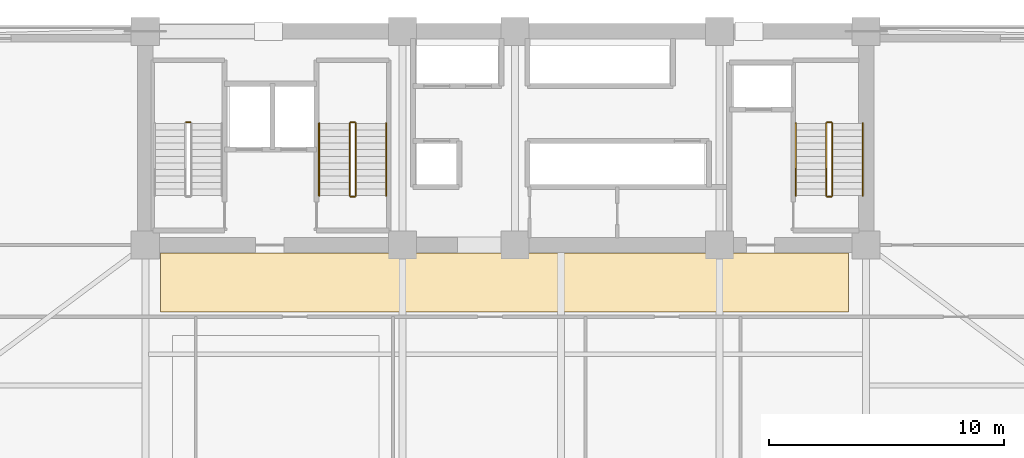
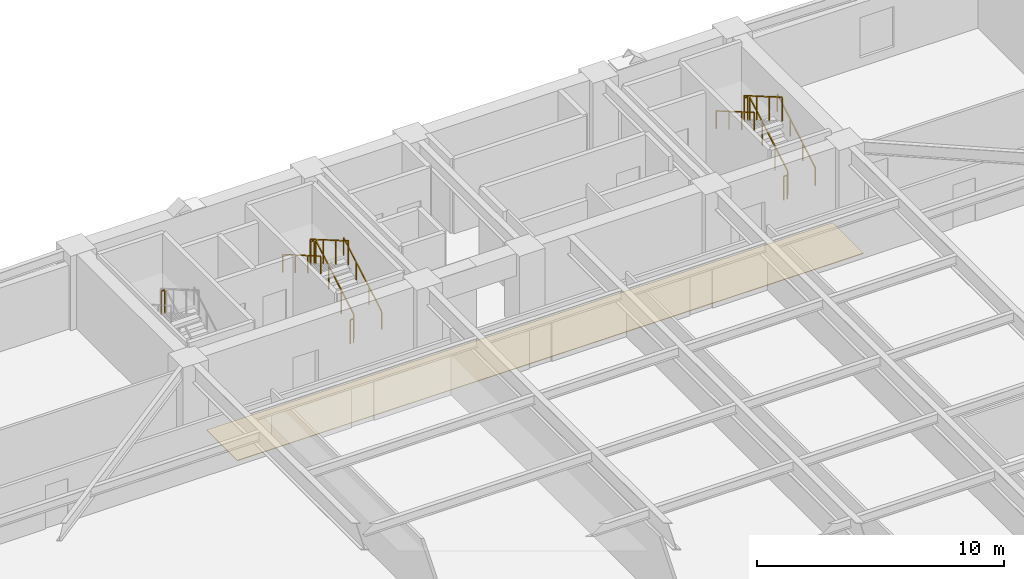
# One storey, part 17 of 18: 13 railings, 1 covering.
"""IFC4 building model written with IfcOpenShell, lengths in metres."""

from ifc_helpers import new_model, si_unit, direction, frame, origin, origin_2d, place, context, subcontext, project, spatial, polyline, rectangle, outline, extrude, material, layer, layer_set, type_object, element, save


model = new_model("IFC4")

# Units and contexts
model_context = context("Model", 3, precision=1e-05, world=origin(), true_north=direction((0.0, 1.0)))
body_context = subcontext(model_context, "Body", "Model", "MODEL_VIEW")
ifc_project = project(units=[si_unit("LENGTHUNIT", "METRE"), si_unit("AREAUNIT", "SQUARE_METRE"), si_unit("VOLUMEUNIT", "CUBIC_METRE"), si_unit("PLANEANGLEUNIT", "RADIAN"), si_unit("MASSUNIT", "GRAM", prefix="KILO")], contexts=[model_context])

# Site, building, storey
site_placement = place(None, origin())
site = spatial("IfcSite", under=ifc_project, at=site_placement, CompositionType="ELEMENT")
building_placement = place(site_placement, origin())
building = spatial("IfcBuilding", under=site, at=building_placement, Name="Giltprow Tower", CompositionType="ELEMENT")
storey_placement = place(building_placement, frame((0.0, 0.0, 61.10009765625)))
storey = spatial("IfcBuildingStorey", under=building, at=storey_placement, Name="L15", CompositionType="ELEMENT", Elevation=61.10009765625)

# Covering
ifc_material_1 = material(Name="Honed granite", Category="masonry")
ifc_layer = layer(ifc_material_1, 0.030029296875, Name="Honed granite")
ifc_layer_set = layer_set([ifc_layer], Name="Honed granite")
covering_type = type_object("IfcCoveringType", Name="COV-FLR-STONE", PredefinedType="FLOORING", material=ifc_layer_set)
covering_placement = place(storey_placement, origin())
element("IfcCovering", 1, at=covering_placement, inside=storey, type_object=covering_type, Name="L15 Office Corridor Stone Flooring", PredefinedType="FLOORING", context=body_context, shape_type="SweptSolid", body=[
    extrude(outline(polyline([(20.5, 34.60009765625), (49.800048828125, 34.60009765625), (49.800048828125, 37.10009765625), (20.5, 37.10009765625), (20.5, 34.60009765625)])), origin(), (0.0, 0.0, 1.0), 0.02978515625),
])

# Railings
ifc_material_2 = material(Name="Anodized bronze", Category="metal")
railing_type_1 = type_object("IfcRailingType", Name="RAIL-STAIR-GUARD-1200", PredefinedType="GUARDRAIL", material=ifc_material_2)
railing_1_placement = place(storey_placement, frame((21.760009765625, 42.679931640625, 1.949951171875)))
element("IfcRailing", 2, at=railing_1_placement, inside=storey, type_object=railing_type_1, Name="L15 ST-1 stair guard 2", PredefinedType="GUARDRAIL", context=body_context, shape_type="SweptSolid", body=[
    extrude(rectangle(XDim=0.048095703125, YDim=0.048095703125, at=origin_2d()), frame((0.0, 0.0, 1.17578125), z_axis=(-1.0, 0.0, 0.0), x_axis=(0.0, -1.0, 0.0)), (0.0, 0.0, 1.0), 0.159912109375),
    extrude(rectangle(XDim=0.0419921875, YDim=0.0419921875, at=origin_2d()), origin(), (0.0, 0.0, 1.0), 1.15185546875),
    extrude(rectangle(XDim=0.0419921875, YDim=0.0419921875, at=origin_2d()), frame((-0.159912109375, 0.0, 0.0)), (0.0, 0.0, 1.0), 1.15185546875),
])
railing_2_placement = place(storey_placement, frame((28.81005859375, 39.550048828125, 0.162353515625)))
element("IfcRailing", 3, at=railing_2_placement, inside=storey, type_object=railing_type_1, Name="L15 ST-2 stair guard 1", PredefinedType="GUARDRAIL", context=body_context, shape_type="SweptSolid", body=[
    extrude(rectangle(XDim=0.048095703125, YDim=0.048095703125, at=origin_2d()), frame((0.0, 0.0, 1.17578125), z_axis=(0.0, 0.864873446163, 0.501989962173), x_axis=(-1.0, 0.0, 0.0)), (0.0, 0.0, 1.0), 3.56103515625),
    extrude(rectangle(XDim=0.0419921875, YDim=0.0419921875, at=origin_2d()), origin(), (0.0, 0.0, 1.0), 1.15185546875),
    extrude(rectangle(XDim=0.0419921875, YDim=0.0419921875, at=origin_2d()), frame((0.0, 1.026611328125, 0.595947265625)), (0.0, 0.0, 1.0), 1.15185546875),
    extrude(rectangle(XDim=0.0419921875, YDim=0.0419921875, at=origin_2d()), frame((0.0, 2.05322265625, 1.191650390625)), (0.0, 0.0, 1.0), 1.15185546875),
    extrude(rectangle(XDim=0.0419921875, YDim=0.0419921875, at=origin_2d()), frame((0.0, 3.079833984375, 1.78759765625)), (0.0, 0.0, 1.0), 1.15185546875),
])
railing_3_placement = place(storey_placement, frame((28.760009765625, 42.679931640625, 1.949951171875)))
element("IfcRailing", 4, at=railing_3_placement, inside=storey, type_object=railing_type_1, Name="L15 ST-2 stair guard 2", PredefinedType="GUARDRAIL", context=body_context, shape_type="SweptSolid", body=[
    extrude(rectangle(XDim=0.048095703125, YDim=0.048095703125, at=origin_2d()), frame((0.0, 0.0, 1.17578125), z_axis=(-1.0, 0.0, 0.0), x_axis=(0.0, -1.0, 0.0)), (0.0, 0.0, 1.0), 0.159912109375),
    extrude(rectangle(XDim=0.0419921875, YDim=0.0419921875, at=origin_2d()), origin(), (0.0, 0.0, 1.0), 1.15185546875),
    extrude(rectangle(XDim=0.0419921875, YDim=0.0419921875, at=origin_2d()), frame((-0.159912109375, 0.0, 0.0)), (0.0, 0.0, 1.0), 1.15185546875),
])
railing_4_placement = place(storey_placement, frame((28.550048828125, 42.6298828125, 2.1123046875)))
element("IfcRailing", 5, at=railing_4_placement, inside=storey, type_object=railing_type_1, Name="L15 ST-2 stair guard 3", PredefinedType="GUARDRAIL", context=body_context, shape_type="SweptSolid", body=[
    extrude(rectangle(XDim=0.048095703125, YDim=0.048095703125, at=origin_2d()), frame((0.0, 0.0, 1.17578125), z_axis=(0.0, -0.864873446163, 0.501989962173), x_axis=(1.0, 0.0, 0.0)), (0.0, 0.0, 1.0), 3.56103515625),
    extrude(rectangle(XDim=0.0419921875, YDim=0.0419921875, at=origin_2d()), origin(), (0.0, 0.0, 1.0), 1.15185546875),
    extrude(rectangle(XDim=0.0419921875, YDim=0.0419921875, at=origin_2d()), frame((0.0, -1.026611328125, 0.595947265625)), (0.0, 0.0, 1.0), 1.15185546875),
    extrude(rectangle(XDim=0.0419921875, YDim=0.0419921875, at=origin_2d()), frame((0.0, -2.05322265625, 1.191650390625)), (0.0, 0.0, 1.0), 1.15185546875),
    extrude(rectangle(XDim=0.0419921875, YDim=0.0419921875, at=origin_2d()), frame((0.0, -3.079833984375, 1.78759765625)), (0.0, 0.0, 1.0), 1.15185546875),
])
railing_5_placement = place(storey_placement, frame((28.760009765625, 39.5, 0.0)))
element("IfcRailing", 6, at=railing_5_placement, inside=storey, type_object=railing_type_1, Name="L15 ST-2 stair guard 4", PredefinedType="GUARDRAIL", context=body_context, shape_type="SweptSolid", body=[
    extrude(rectangle(XDim=0.048095703125, YDim=0.048095703125, at=origin_2d()), frame((0.0, 0.0, 1.17578125), z_axis=(-1.0, 0.0, 0.0), x_axis=(0.0, -1.0, 0.0)), (0.0, 0.0, 1.0), 0.159912109375),
    extrude(rectangle(XDim=0.0419921875, YDim=0.0419921875, at=origin_2d()), origin(), (0.0, 0.0, 1.0), 1.15185546875),
    extrude(rectangle(XDim=0.0419921875, YDim=0.0419921875, at=origin_2d()), frame((-0.159912109375, 0.0, 0.0)), (0.0, 0.0, 1.0), 1.15185546875),
])
railing_6_placement = place(storey_placement, frame((49.110107421875, 39.550048828125, 0.162353515625)))
element("IfcRailing", 7, at=railing_6_placement, inside=storey, type_object=railing_type_1, Name="L15 ST-3 stair guard 1", PredefinedType="GUARDRAIL", context=body_context, shape_type="SweptSolid", body=[
    extrude(rectangle(XDim=0.048095703125, YDim=0.048095703125, at=origin_2d()), frame((0.0, 0.0, 1.17578125), z_axis=(0.0, 0.864873446163, 0.501989962173), x_axis=(-1.0, 0.0, 0.0)), (0.0, 0.0, 1.0), 3.56103515625),
    extrude(rectangle(XDim=0.0419921875, YDim=0.0419921875, at=origin_2d()), origin(), (0.0, 0.0, 1.0), 1.15185546875),
    extrude(rectangle(XDim=0.0419921875, YDim=0.0419921875, at=origin_2d()), frame((0.0, 1.026611328125, 0.595947265625)), (0.0, 0.0, 1.0), 1.15185546875),
    extrude(rectangle(XDim=0.0419921875, YDim=0.0419921875, at=origin_2d()), frame((0.0, 2.05322265625, 1.191650390625)), (0.0, 0.0, 1.0), 1.15185546875),
    extrude(rectangle(XDim=0.0419921875, YDim=0.0419921875, at=origin_2d()), frame((0.0, 3.079833984375, 1.78759765625)), (0.0, 0.0, 1.0), 1.15185546875),
])
railing_7_placement = place(storey_placement, frame((49.06005859375, 42.679931640625, 1.949951171875)))
element("IfcRailing", 8, at=railing_7_placement, inside=storey, type_object=railing_type_1, Name="L15 ST-3 stair guard 2", PredefinedType="GUARDRAIL", context=body_context, shape_type="SweptSolid", body=[
    extrude(rectangle(XDim=0.048095703125, YDim=0.048095703125, at=origin_2d()), frame((0.0, 0.0, 1.17578125), z_axis=(-1.0, 0.0, 0.0), x_axis=(0.0, -1.0, 0.0)), (0.0, 0.0, 1.0), 0.16015625),
    extrude(rectangle(XDim=0.0419921875, YDim=0.0419921875, at=origin_2d()), origin(), (0.0, 0.0, 1.0), 1.15185546875),
    extrude(rectangle(XDim=0.0419921875, YDim=0.0419921875, at=origin_2d()), frame((-0.16015625, 0.0, 0.0)), (0.0, 0.0, 1.0), 1.15185546875),
])
railing_8_placement = place(storey_placement, frame((48.85009765625, 42.6298828125, 2.1123046875)))
element("IfcRailing", 9, at=railing_8_placement, inside=storey, type_object=railing_type_1, Name="L15 ST-3 stair guard 3", PredefinedType="GUARDRAIL", context=body_context, shape_type="SweptSolid", body=[
    extrude(rectangle(XDim=0.048095703125, YDim=0.048095703125, at=origin_2d()), frame((0.0, 0.0, 1.17578125), z_axis=(0.0, -0.864873446163, 0.501989962173), x_axis=(1.0, 0.0, 0.0)), (0.0, 0.0, 1.0), 3.56103515625),
    extrude(rectangle(XDim=0.0419921875, YDim=0.0419921875, at=origin_2d()), origin(), (0.0, 0.0, 1.0), 1.15185546875),
    extrude(rectangle(XDim=0.0419921875, YDim=0.0419921875, at=origin_2d()), frame((0.0, -1.026611328125, 0.595947265625)), (0.0, 0.0, 1.0), 1.15185546875),
    extrude(rectangle(XDim=0.0419921875, YDim=0.0419921875, at=origin_2d()), frame((0.0, -2.05322265625, 1.191650390625)), (0.0, 0.0, 1.0), 1.15185546875),
    extrude(rectangle(XDim=0.0419921875, YDim=0.0419921875, at=origin_2d()), frame((0.0, -3.079833984375, 1.78759765625)), (0.0, 0.0, 1.0), 1.15185546875),
])
railing_9_placement = place(storey_placement, frame((49.06005859375, 39.5, 0.0)))
element("IfcRailing", 10, at=railing_9_placement, inside=storey, type_object=railing_type_1, Name="L15 ST-3 stair guard 4", PredefinedType="GUARDRAIL", context=body_context, shape_type="SweptSolid", body=[
    extrude(rectangle(XDim=0.048095703125, YDim=0.048095703125, at=origin_2d()), frame((0.0, 0.0, 1.17578125), z_axis=(-1.0, 0.0, 0.0), x_axis=(0.0, -1.0, 0.0)), (0.0, 0.0, 1.0), 0.16015625),
    extrude(rectangle(XDim=0.0419921875, YDim=0.0419921875, at=origin_2d()), origin(), (0.0, 0.0, 1.0), 1.15185546875),
    extrude(rectangle(XDim=0.0419921875, YDim=0.0419921875, at=origin_2d()), frame((-0.16015625, 0.0, 0.0)), (0.0, 0.0, 1.0), 1.15185546875),
])
railing_type_2 = type_object("IfcRailingType", Name="RAIL-STAIR-HAND-900", PredefinedType="HANDRAIL", material=ifc_material_2)
railing_10_placement = place(storey_placement, frame((30.110107421875, 39.550048828125, 0.162353515625)))
element("IfcRailing", 11, at=railing_10_placement, inside=storey, type_object=railing_type_2, Name="L15 ST-2 stair handrail 1", PredefinedType="HANDRAIL", context=body_context, shape_type="SweptSolid", body=[
    extrude(rectangle(XDim=0.048095703125, YDim=0.048095703125, at=origin_2d()), frame((0.0, 0.0, 0.8759765625), z_axis=(0.0, 0.864873446163, 0.501989962173), x_axis=(-1.0, 0.0, 0.0)), (0.0, 0.0, 1.0), 3.56103515625),
    extrude(rectangle(XDim=0.0419921875, YDim=0.0419921875, at=origin_2d()), origin(), (0.0, 0.0, 1.0), 0.851806640625),
    extrude(rectangle(XDim=0.0419921875, YDim=0.0419921875, at=origin_2d()), frame((0.0, 1.026611328125, 0.595947265625)), (0.0, 0.0, 1.0), 0.851806640625),
    extrude(rectangle(XDim=0.0419921875, YDim=0.0419921875, at=origin_2d()), frame((0.0, 2.05322265625, 1.191650390625)), (0.0, 0.0, 1.0), 0.851806640625),
    extrude(rectangle(XDim=0.0419921875, YDim=0.0419921875, at=origin_2d()), frame((0.0, 3.079833984375, 1.78759765625)), (0.0, 0.0, 1.0), 0.851806640625),
])
railing_11_placement = place(storey_placement, frame((27.25, 42.6298828125, 2.1123046875)))
element("IfcRailing", 12, at=railing_11_placement, inside=storey, type_object=railing_type_2, Name="L15 ST-2 stair handrail 2", PredefinedType="HANDRAIL", context=body_context, shape_type="SweptSolid", body=[
    extrude(rectangle(XDim=0.048095703125, YDim=0.048095703125, at=origin_2d()), frame((0.0, 0.0, 0.8759765625), z_axis=(0.0, -0.864873446163, 0.501989962173), x_axis=(1.0, 0.0, 0.0)), (0.0, 0.0, 1.0), 3.56103515625),
    extrude(rectangle(XDim=0.0419921875, YDim=0.0419921875, at=origin_2d()), origin(), (0.0, 0.0, 1.0), 0.851806640625),
    extrude(rectangle(XDim=0.0419921875, YDim=0.0419921875, at=origin_2d()), frame((0.0, -1.026611328125, 0.595947265625)), (0.0, 0.0, 1.0), 0.851806640625),
    extrude(rectangle(XDim=0.0419921875, YDim=0.0419921875, at=origin_2d()), frame((0.0, -2.05322265625, 1.191650390625)), (0.0, 0.0, 1.0), 0.851806640625),
    extrude(rectangle(XDim=0.0419921875, YDim=0.0419921875, at=origin_2d()), frame((0.0, -3.079833984375, 1.78759765625)), (0.0, 0.0, 1.0), 0.851806640625),
])
railing_12_placement = place(storey_placement, frame((50.409912109375, 39.550048828125, 0.162353515625)))
element("IfcRailing", 13, at=railing_12_placement, inside=storey, type_object=railing_type_2, Name="L15 ST-3 stair handrail 1", PredefinedType="HANDRAIL", context=body_context, shape_type="SweptSolid", body=[
    extrude(rectangle(XDim=0.048095703125, YDim=0.048095703125, at=origin_2d()), frame((0.0, 0.0, 0.8759765625), z_axis=(0.0, 0.864873446163, 0.501989962173), x_axis=(-1.0, 0.0, 0.0)), (0.0, 0.0, 1.0), 3.56103515625),
    extrude(rectangle(XDim=0.0419921875, YDim=0.0419921875, at=origin_2d()), origin(), (0.0, 0.0, 1.0), 0.851806640625),
    extrude(rectangle(XDim=0.0419921875, YDim=0.0419921875, at=origin_2d()), frame((0.0, 1.026611328125, 0.595947265625)), (0.0, 0.0, 1.0), 0.851806640625),
    extrude(rectangle(XDim=0.0419921875, YDim=0.0419921875, at=origin_2d()), frame((0.0, 2.05322265625, 1.191650390625)), (0.0, 0.0, 1.0), 0.851806640625),
    extrude(rectangle(XDim=0.0419921875, YDim=0.0419921875, at=origin_2d()), frame((0.0, 3.079833984375, 1.78759765625)), (0.0, 0.0, 1.0), 0.851806640625),
])
railing_13_placement = place(storey_placement, frame((47.550048828125, 42.6298828125, 2.1123046875)))
element("IfcRailing", 14, at=railing_13_placement, inside=storey, type_object=railing_type_2, Name="L15 ST-3 stair handrail 2", PredefinedType="HANDRAIL", context=body_context, shape_type="SweptSolid", body=[
    extrude(rectangle(XDim=0.048095703125, YDim=0.048095703125, at=origin_2d()), frame((0.0, 0.0, 0.8759765625), z_axis=(0.0, -0.864873446163, 0.501989962173), x_axis=(1.0, 0.0, 0.0)), (0.0, 0.0, 1.0), 3.56103515625),
    extrude(rectangle(XDim=0.0419921875, YDim=0.0419921875, at=origin_2d()), origin(), (0.0, 0.0, 1.0), 0.851806640625),
    extrude(rectangle(XDim=0.0419921875, YDim=0.0419921875, at=origin_2d()), frame((0.0, -1.026611328125, 0.595947265625)), (0.0, 0.0, 1.0), 0.851806640625),
    extrude(rectangle(XDim=0.0419921875, YDim=0.0419921875, at=origin_2d()), frame((0.0, -2.05322265625, 1.191650390625)), (0.0, 0.0, 1.0), 0.851806640625),
    extrude(rectangle(XDim=0.0419921875, YDim=0.0419921875, at=origin_2d()), frame((0.0, -3.079833984375, 1.78759765625)), (0.0, 0.0, 1.0), 0.851806640625),
])

save(model, "model.ifc")
